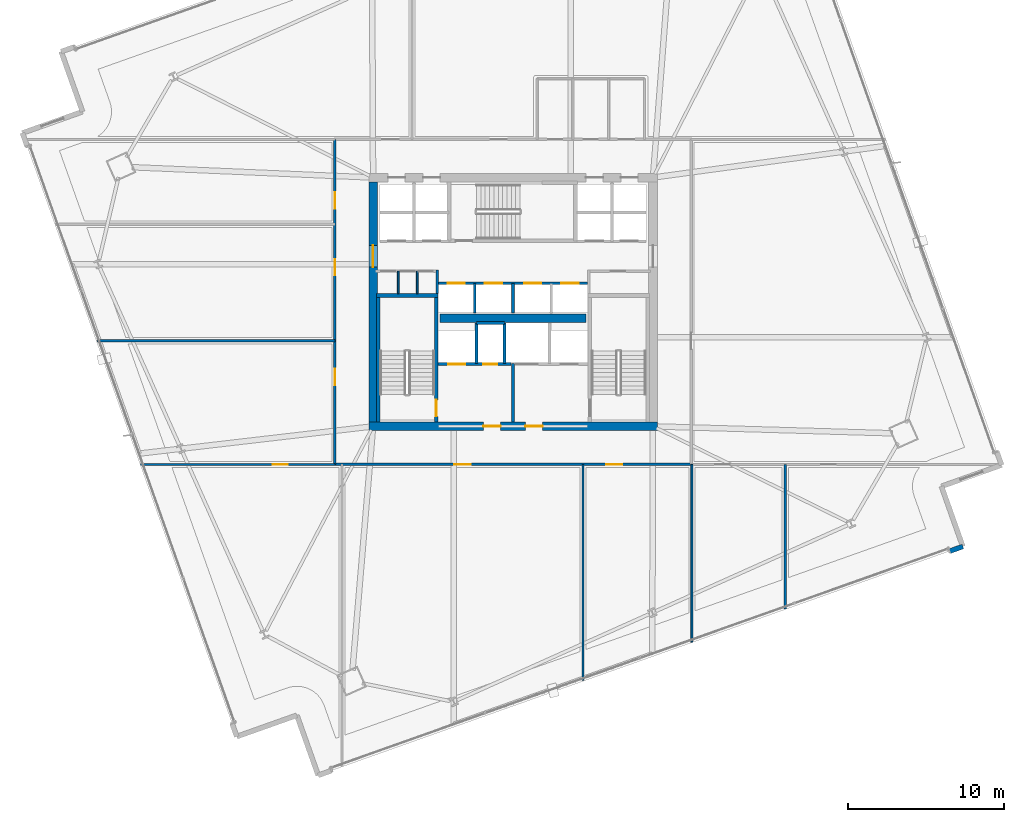
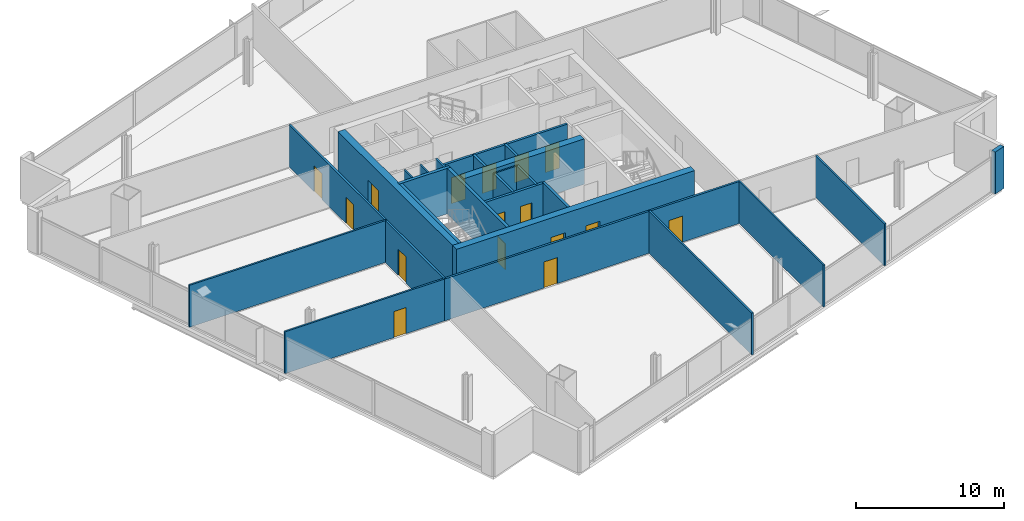
# One storey, part 25 of 33: 25 walls, 16 doors, 16 openings.
"""IFC4 building model written with IfcOpenShell, lengths in metres."""

from ifc_helpers import new_model, si_unit, direction, frame, frame_2d, origin, place, context, subcontext, project, spatial, rectangle, extrude, material, layer, layer_set, type_object, element, fill, save


model = new_model("IFC4")

# Units and contexts
model_context = context("Model", 3, precision=1e-05, world=origin(), true_north=direction((0.0, 1.0)))
body_context = subcontext(model_context, "Body", "Model", "MODEL_VIEW")
ifc_project = project(units=[si_unit("LENGTHUNIT", "METRE"), si_unit("AREAUNIT", "SQUARE_METRE"), si_unit("VOLUMEUNIT", "CUBIC_METRE"), si_unit("PLANEANGLEUNIT", "RADIAN"), si_unit("MASSUNIT", "GRAM", prefix="KILO")], contexts=[model_context])

# Site, building, storey
site_placement = place(None, origin())
site = spatial("IfcSite", under=ifc_project, at=site_placement, CompositionType="ELEMENT")
building_placement = place(site_placement, origin())
building = spatial("IfcBuilding", under=site, at=building_placement, Name="Haldenkirk Collegiate Tower", CompositionType="ELEMENT")
storey_placement = place(building_placement, frame((0.0, 0.0, 94.199951171875)))
storey = spatial("IfcBuildingStorey", under=building, at=storey_placement, Name="L22", CompositionType="ELEMENT", Elevation=94.199951171875)

# Wall, openings, doors
ifc_material_1 = material(Name="Concrete f'c 70 MPa", Category="concrete")
ifc_layer_1 = layer(ifc_material_1, 0.550048828125)
ifc_layer_set_1 = layer_set([ifc_layer_1], Name="Concrete f'c 70 MPa")
wall_type_1 = type_object("IfcWallType", Name="WL-CORE-550", PredefinedType="SHEAR", material=ifc_layer_set_1)
wall_1_placement = place(storey_placement, frame((26.72509765625, 18.0, 0.0), z_axis=(0.0, 0.0, 1.0), x_axis=(1.0, 0.0, 0.0)))
wall_1 = element("IfcWall", 1, at=wall_1_placement, inside=storey, type_object=wall_type_1, Name="L22 central core shear wall S", PredefinedType="SHEAR", context=body_context, shape_type="SweptSolid", body=[
    extrude(rectangle(XDim=18.5498046875, YDim=0.550048828125, at=frame_2d((9.27490234375, 0.0))), origin(), (0.0, 0.0, 1.0), 3.75),
])
opening_1_placement = place(wall_1_placement, frame((7.375, 0.0, 0.0)))
opening_1 = element("IfcOpeningElement", 2, at=opening_1_placement, cuts=wall_1, Name="Opening D-02", PredefinedType="OPENING", context=body_context, shape_type="SweptSolid", body=[
    extrude(rectangle(XDim=1.10009765625, YDim=2.14990234375, at=frame_2d((0.550048828125, 1.074951171875))), frame((0.0, 0.284912109375, 0.0), z_axis=(0.0, -1.0, 0.0), x_axis=(1.0, 0.0, 0.0)), (0.0, 0.0, 1.0), 0.570068359375),
])
opening_2_placement = place(wall_1_placement, frame((10.074951171875, 0.0, 0.0)))
opening_2 = element("IfcOpeningElement", 3, at=opening_2_placement, cuts=wall_1, Name="Opening D-02", PredefinedType="OPENING", context=body_context, shape_type="SweptSolid", body=[
    extrude(rectangle(XDim=1.10009765625, YDim=2.14990234375, at=frame_2d((0.550048828125, 1.074951171875))), frame((0.0, 0.284912109375, 0.0), z_axis=(0.0, -1.0, 0.0), x_axis=(1.0, 0.0, 0.0)), (0.0, 0.0, 1.0), 0.570068359375),
])
ifc_material_2 = material(Name="Galvanized fire-rated hollow steel door", Category="steel")
ifc_layer_2 = layer(ifc_material_2, 0.06005859375)
ifc_layer_set_2 = layer_set([ifc_layer_2], Name="Galvanized fire-rated hollow steel door")
door_type_1 = type_object("IfcDoorType", Name="DR-STAIR-FD90-1100", OperationType="NOTDEFINED", PredefinedType="DOOR", material=ifc_layer_set_2)
door_1_placement = place(opening_1_placement, origin())
door_1 = element("IfcDoor", 4, at=door_1_placement, inside=storey, type_object=door_type_1, Name="L22 Firefighting Lobby 1 door", OperationType="SINGLE_SWING_LEFT", OverallHeight=2.14990234375, OverallWidth=1.10009765625, PredefinedType="DOOR", context=body_context, shape_type="SweptSolid", body=[
    extrude(rectangle(XDim=1.10009765625, YDim=2.14990234375, at=frame_2d((0.550048828125, 1.074951171875))), frame((0.0, 0.02490234375, 0.0), z_axis=(0.0, -1.0, 0.0), x_axis=(1.0, 0.0, 0.0)), (0.0, 0.0, 1.0), 0.050048828125),
])
fill(opening_1, door_1)
door_2_placement = place(opening_2_placement, origin())
door_2 = element("IfcDoor", 5, at=door_2_placement, inside=storey, type_object=door_type_1, Name="L22 Firefighting Lobby 2 door", OperationType="SINGLE_SWING_RIGHT", OverallHeight=2.14990234375, OverallWidth=1.10009765625, PredefinedType="DOOR", context=body_context, shape_type="SweptSolid", body=[
    extrude(rectangle(XDim=1.10009765625, YDim=2.14990234375, at=frame_2d((0.550048828125, 1.074951171875))), frame((0.0, 0.02490234375, 0.0), z_axis=(0.0, -1.0, 0.0), x_axis=(1.0, 0.0, 0.0)), (0.0, 0.0, 1.0), 0.050048828125),
])
fill(opening_2, door_2)

# Wall, opening, door
wall_2_placement = place(storey_placement, frame((27.0, 18.27490234375, 0.0), z_axis=(0.0, 0.0, 1.0), x_axis=(0.0, 1.0, 0.0)))
wall_2 = element("IfcWall", 6, at=wall_2_placement, inside=storey, type_object=wall_type_1, Name="L22 central core shear wall W", PredefinedType="SHEAR", context=body_context, shape_type="SweptSolid", body=[
    extrude(rectangle(XDim=15.4501953125, YDim=0.550048828125, at=frame_2d((7.72509765625, 0.0))), origin(), (0.0, 0.0, 1.0), 3.75),
])
opening_3_placement = place(wall_2_placement, frame((9.965087890625, 0.0, 0.0)))
opening_3 = element("IfcOpeningElement", 7, at=opening_3_placement, cuts=wall_2, Name="Opening D-03", PredefinedType="OPENING", context=body_context, shape_type="SweptSolid", body=[
    extrude(rectangle(XDim=1.39990234375, YDim=2.199951171875, at=frame_2d((0.699951171875, 1.10009765625))), frame((0.0, 0.284912109375, 0.0), z_axis=(0.0, -1.0, 0.0), x_axis=(1.0, 0.0, 0.0)), (0.0, 0.0, 1.0), 0.570068359375),
])
ifc_layer_3 = layer(ifc_material_2, 0.06005859375)
ifc_layer_set_3 = layer_set([ifc_layer_3], Name="Galvanized fire-rated hollow steel door")
door_type_2 = type_object("IfcDoorType", Name="DR-LOBBY-FD90-1400", OperationType="NOTDEFINED", PredefinedType="DOOR", material=ifc_layer_set_3)
door_3_placement = place(opening_3_placement, origin())
door_3 = element("IfcDoor", 8, at=door_3_placement, inside=storey, type_object=door_type_2, Name="L22 west lift lobby portal", OperationType="DOUBLE_DOOR_SINGLE_SWING", OverallHeight=2.199951171875, OverallWidth=1.39990234375, PredefinedType="DOOR", context=body_context, shape_type="SweptSolid", body=[
    extrude(rectangle(XDim=1.39990234375, YDim=2.199951171875, at=frame_2d((0.699951171875, 1.10009765625))), frame((0.0, 0.02490234375, 0.0), z_axis=(0.0, -1.0, 0.0), x_axis=(1.0, 0.0, 0.0)), (0.0, 0.0, 1.0), 0.050048828125),
])
fill(opening_3, door_3)

# Walls
wall_3_placement = place(storey_placement, frame((31.31005859375, 24.949951171875, 0.0), z_axis=(0.0, 0.0, 1.0), x_axis=(1.0, 0.0, 0.0)))
element("IfcWall", 9, at=wall_3_placement, inside=storey, type_object=wall_type_1, Name="L22 central core spine shear wall", PredefinedType="SHEAR", context=body_context, shape_type="SweptSolid", body=[
    extrude(rectangle(XDim=9.3798828125, YDim=0.550048828125, at=frame_2d((4.68994140625, 0.0))), origin(), (0.0, 0.0, 1.0), 3.75),
])
ifc_material_3 = material(Name="Precast concrete f'c 40 MPa", Category="concrete")
ifc_layer_4 = layer(ifc_material_3, 0.320068359375)
ifc_layer_set_4 = layer_set([ifc_layer_4], Name="Precast concrete f'c 40 MPa")
wall_type_2 = type_object("IfcWallType", Name="WL-EXT-TWR-320", PredefinedType="STANDARD", material=ifc_layer_set_4)
wall_4_placement = place(storey_placement, frame((64.93017578125, 10.2744140625, 0.0), z_axis=(0.0, 0.0, 1.0), x_axis=(-0.942317389821, -0.334720684813, 0.0)))
element("IfcWall", 10, at=wall_4_placement, inside=storey, type_object=wall_type_2, Name="L22 precast corner pier SL", PredefinedType="STANDARD", context=body_context, shape_type="SweptSolid", body=[
    extrude(rectangle(XDim=0.900146484375, YDim=0.320068359375, at=frame_2d((0.4501953125, 0.0))), origin(), (0.0, 0.0, 1.0), 3.449951171875),
])
ifc_material_4 = material(Name="Acoustic fire-rated gypsum partition", Category="concrete")
ifc_layer_5 = layer(ifc_material_4, 0.159912109375)
ifc_layer_set_5 = layer_set([ifc_layer_5], Name="Acoustic fire-rated gypsum partition")
wall_type_3 = type_object("IfcWallType", Name="WL-INT-CORR-160", PredefinedType="PARTITIONING", material=ifc_layer_set_5)
wall_5_placement = place(storey_placement, frame((31.1201171875, 26.5400390625, 0.0), z_axis=(0.0, 0.0, 1.0), x_axis=(0.0, 1.0, 0.0)))
element("IfcWall", 11, at=wall_5_placement, inside=storey, type_object=wall_type_3, Name="L22 interior partition IW-L22-VCSW-E", PredefinedType="PARTITIONING", context=body_context, shape_type="SweptSolid", body=[
    extrude(rectangle(XDim=1.510009765625, YDim=0.159912109375, at=frame_2d((0.7548828125, 0.0))), origin(), (0.0, 0.0, 1.0), 3.449951171875),
])

# Wall, openings, doors
wall_6_placement = place(storey_placement, frame((24.5, 15.550048828125, 0.0), z_axis=(0.0, 0.0, 1.0), x_axis=(1.0, 0.0, 0.0)))
wall_6 = element("IfcWall", 12, at=wall_6_placement, inside=storey, type_object=wall_type_3, Name="L22 interior partition IW-L22-CS", PredefinedType="PARTITIONING", context=body_context, shape_type="SweptSolid", body=[
    extrude(rectangle(XDim=23.0, YDim=0.159912109375, at=frame_2d((11.5, 0.0))), origin(), (0.0, 0.0, 1.0), 3.449951171875),
])
opening_4_placement = place(wall_6_placement, frame((7.72509765625, 0.0, 0.0)))
opening_4 = element("IfcOpeningElement", 13, at=opening_4_placement, cuts=wall_6, Name="Opening D-09", PredefinedType="OPENING", context=body_context, shape_type="SweptSolid", body=[
    extrude(rectangle(XDim=1.050048828125, YDim=2.14990234375, at=frame_2d((0.52490234375, 1.074951171875))), frame((0.0, 0.08984375, 0.0), z_axis=(0.0, -1.0, 0.0), x_axis=(1.0, 0.0, 0.0)), (0.0, 0.0, 1.0), 0.179931640625),
])
opening_5_placement = place(wall_6_placement, frame((17.489013671875, 0.0, 0.0)))
opening_5 = element("IfcOpeningElement", 14, at=opening_5_placement, cuts=wall_6, Name="Opening D-09", PredefinedType="OPENING", context=body_context, shape_type="SweptSolid", body=[
    extrude(rectangle(XDim=1.050048828125, YDim=2.14990234375, at=frame_2d((0.52490234375, 1.074951171875))), frame((0.0, 0.08984375, 0.0), z_axis=(0.0, -1.0, 0.0), x_axis=(1.0, 0.0, 0.0)), (0.0, 0.0, 1.0), 0.179931640625),
])
ifc_material_5 = material(Name="Solid-core architectural oak fire door", Category="wood")
ifc_layer_6 = layer(ifc_material_5, 0.06005859375)
ifc_layer_set_6 = layer_set([ifc_layer_6], Name="Solid-core architectural oak fire door")
door_type_3 = type_object("IfcDoorType", Name="DR-INT-FD60-1050", OperationType="NOTDEFINED", PredefinedType="DOOR", material=ifc_layer_set_6)
door_4_placement = place(opening_4_placement, origin())
door_4 = element("IfcDoor", 15, at=door_4_placement, inside=storey, type_object=door_type_3, Name="L22 Research Office 2 door", OperationType="SINGLE_SWING_RIGHT", OverallHeight=2.14990234375, OverallWidth=1.050048828125, PredefinedType="DOOR", context=body_context, shape_type="SweptSolid", body=[
    extrude(rectangle(XDim=1.050048828125, YDim=2.14990234375, at=frame_2d((0.52490234375, 1.074951171875))), frame((0.0, 0.02490234375, 0.0), z_axis=(0.0, -1.0, 0.0), x_axis=(1.0, 0.0, 0.0)), (0.0, 0.0, 1.0), 0.050048828125),
])
fill(opening_4, door_4)
door_5_placement = place(opening_5_placement, origin())
door_5 = element("IfcDoor", 16, at=door_5_placement, inside=storey, type_object=door_type_3, Name="L22 Senior Fellow Office 3 door", OperationType="SINGLE_SWING_LEFT", OverallHeight=2.14990234375, OverallWidth=1.050048828125, PredefinedType="DOOR", context=body_context, shape_type="SweptSolid", body=[
    extrude(rectangle(XDim=1.050048828125, YDim=2.14990234375, at=frame_2d((0.52490234375, 1.074951171875))), frame((0.0, 0.02490234375, 0.0), z_axis=(0.0, -1.0, 0.0), x_axis=(1.0, 0.0, 0.0)), (0.0, 0.0, 1.0), 0.050048828125),
])
fill(opening_5, door_5)

wall_7_placement = place(storey_placement, frame((24.550048828125, 15.550048828125, 0.0), z_axis=(0.0, 0.0, 1.0), x_axis=(0.0, 1.0, 0.0)))
wall_7 = element("IfcWall", 17, at=wall_7_placement, inside=storey, type_object=wall_type_3, Name="L22 interior partition IW-L22-CW", PredefinedType="PARTITIONING", context=body_context, shape_type="SweptSolid", body=[
    extrude(rectangle(XDim=20.89990234375, YDim=0.159912109375, at=frame_2d((10.449951171875, 0.0))), origin(), (0.0, 0.0, 1.0), 3.449951171875),
])
opening_6_placement = place(wall_7_placement, frame((5.10693359375, 0.0, 0.0)))
opening_6 = element("IfcOpeningElement", 18, at=opening_6_placement, cuts=wall_7, Name="Opening D-09", PredefinedType="OPENING", context=body_context, shape_type="SweptSolid", body=[
    extrude(rectangle(XDim=1.050048828125, YDim=2.14990234375, at=frame_2d((0.52490234375, 1.074951171875))), frame((0.0, 0.08984375, 0.0), z_axis=(0.0, -1.0, 0.0), x_axis=(1.0, 0.0, 0.0)), (0.0, 0.0, 1.0), 0.179931640625),
])
opening_7_placement = place(wall_7_placement, frame((12.155029296875, 0.0, 0.0)))
opening_7 = element("IfcOpeningElement", 19, at=opening_7_placement, cuts=wall_7, Name="Opening D-09", PredefinedType="OPENING", context=body_context, shape_type="SweptSolid", body=[
    extrude(rectangle(XDim=1.050048828125, YDim=2.14990234375, at=frame_2d((0.52490234375, 1.074951171875))), frame((0.0, 0.08984375, 0.0), z_axis=(0.0, -1.0, 0.0), x_axis=(1.0, 0.0, 0.0)), (0.0, 0.0, 1.0), 0.179931640625),
])
opening_8_placement = place(wall_7_placement, frame((16.443115234375, 0.0, 0.0)))
opening_8 = element("IfcOpeningElement", 20, at=opening_8_placement, cuts=wall_7, Name="Opening D-09", PredefinedType="OPENING", context=body_context, shape_type="SweptSolid", body=[
    extrude(rectangle(XDim=1.050048828125, YDim=2.14990234375, at=frame_2d((0.52490234375, 1.074951171875))), frame((0.0, 0.08984375, 0.0), z_axis=(0.0, -1.0, 0.0), x_axis=(1.0, 0.0, 0.0)), (0.0, 0.0, 1.0), 0.179931640625),
])
door_6_placement = place(opening_6_placement, origin())
door_6 = element("IfcDoor", 21, at=door_6_placement, inside=storey, type_object=door_type_3, Name="L22 Research Office 8 door", OperationType="SINGLE_SWING_RIGHT", OverallHeight=2.14990234375, OverallWidth=1.050048828125, PredefinedType="DOOR", context=body_context, shape_type="SweptSolid", body=[
    extrude(rectangle(XDim=1.050048828125, YDim=2.14990234375, at=frame_2d((0.52490234375, 1.074951171875))), frame((0.0, 0.02490234375, 0.0), z_axis=(0.0, -1.0, 0.0), x_axis=(1.0, 0.0, 0.0)), (0.0, 0.0, 1.0), 0.050048828125),
])
fill(opening_6, door_6)
door_7_placement = place(opening_7_placement, origin())
door_7 = element("IfcDoor", 22, at=door_7_placement, inside=storey, type_object=door_type_3, Name="L22 Senior Fellow Office 9 door", OperationType="SINGLE_SWING_LEFT", OverallHeight=2.14990234375, OverallWidth=1.050048828125, PredefinedType="DOOR", context=body_context, shape_type="SweptSolid", body=[
    extrude(rectangle(XDim=1.050048828125, YDim=2.14990234375, at=frame_2d((0.52490234375, 1.074951171875))), frame((0.0, 0.02490234375, 0.0), z_axis=(0.0, -1.0, 0.0), x_axis=(1.0, 0.0, 0.0)), (0.0, 0.0, 1.0), 0.050048828125),
])
fill(opening_7, door_7)
door_8_placement = place(opening_8_placement, origin())
door_8 = element("IfcDoor", 23, at=door_8_placement, inside=storey, type_object=door_type_3, Name="L22 Graduate Seminar Room 10 door", OperationType="SINGLE_SWING_RIGHT", OverallHeight=2.14990234375, OverallWidth=1.050048828125, PredefinedType="DOOR", context=body_context, shape_type="SweptSolid", body=[
    extrude(rectangle(XDim=1.050048828125, YDim=2.14990234375, at=frame_2d((0.52490234375, 1.074951171875))), frame((0.0, 0.02490234375, 0.0), z_axis=(0.0, -1.0, 0.0), x_axis=(1.0, 0.0, 0.0)), (0.0, 0.0, 1.0), 0.050048828125),
])
fill(opening_8, door_8)

# Wall, opening, door
ifc_layer_7 = layer(ifc_material_4, 0.139892578125)
ifc_layer_set_7 = layer_set([ifc_layer_7], Name="Acoustic fire-rated gypsum partition")
wall_type_4 = type_object("IfcWallType", Name="WL-INT-DIV-140", PredefinedType="PARTITIONING", material=ifc_layer_set_7)
wall_8_placement = place(storey_placement, frame((12.056396484375, 15.550048828125, 0.0), z_axis=(0.0, 0.0, 1.0), x_axis=(1.0, 0.0, 0.0)))
wall_8 = element("IfcWall", 24, at=wall_8_placement, inside=storey, type_object=wall_type_4, Name="L22 interior partition IW-L22-BWS", PredefinedType="PARTITIONING", context=body_context, shape_type="SweptSolid", body=[
    extrude(rectangle(XDim=12.49365234375, YDim=0.139892578125, at=frame_2d((6.246826171875, 0.0))), origin(), (0.0, 0.0, 1.0), 3.449951171875),
])
opening_9_placement = place(wall_8_placement, frame((8.50146484375, 0.0, 0.0)))
opening_9 = element("IfcOpeningElement", 25, at=opening_9_placement, cuts=wall_8, Name="Opening D-12", PredefinedType="OPENING", context=body_context, shape_type="SweptSolid", body=[
    extrude(rectangle(XDim=0.949951171875, YDim=2.14990234375, at=frame_2d((0.47509765625, 1.074951171875))), frame((0.0, 0.079833984375, 0.0), z_axis=(0.0, -1.0, 0.0), x_axis=(1.0, 0.0, 0.0)), (0.0, 0.0, 1.0), 0.159912109375),
])
ifc_layer_8 = layer(ifc_material_5, 0.06005859375)
ifc_layer_set_8 = layer_set([ifc_layer_8], Name="Solid-core architectural oak fire door")
door_type_4 = type_object("IfcDoorType", Name="DR-INT-STD-950", OperationType="NOTDEFINED", PredefinedType="DOOR", material=ifc_layer_set_8)
door_9_placement = place(opening_9_placement, origin())
door_9 = element("IfcDoor", 26, at=door_9_placement, inside=storey, type_object=door_type_4, Name="L22 Faculty Office 1 door", OperationType="SINGLE_SWING_LEFT", OverallHeight=2.14990234375, OverallWidth=0.949951171875, PredefinedType="DOOR", context=body_context, shape_type="SweptSolid", body=[
    extrude(rectangle(XDim=0.949951171875, YDim=2.14990234375, at=frame_2d((0.47509765625, 1.074951171875))), frame((0.0, 0.02490234375, 0.0), z_axis=(0.0, -1.0, 0.0), x_axis=(1.0, 0.0, 0.0)), (0.0, 0.0, 1.0), 0.050048828125),
])
fill(opening_9, door_9)

# Walls
wall_9_placement = place(storey_placement, frame((40.5, 1.6416015625, 0.0), z_axis=(0.0, 0.0, 1.0), x_axis=(0.0, 1.0, 0.0)))
element("IfcWall", 27, at=wall_9_placement, inside=storey, type_object=wall_type_4, Name="L22 interior partition IW-L22-RS2", PredefinedType="PARTITIONING", context=body_context, shape_type="SweptSolid", body=[
    extrude(rectangle(XDim=13.908447265625, YDim=0.139892578125, at=frame_2d((6.9541015625, 0.0))), origin(), (0.0, 0.0, 1.0), 3.449951171875),
])
wall_10_placement = place(storey_placement, frame((53.5, 6.2578125, 0.0), z_axis=(0.0, 0.0, 1.0), x_axis=(0.0, 1.0, 0.0)))
element("IfcWall", 28, at=wall_10_placement, inside=storey, type_object=wall_type_4, Name="L22 interior partition IW-L22-RS4", PredefinedType="PARTITIONING", context=body_context, shape_type="SweptSolid", body=[
    extrude(rectangle(XDim=9.292236328125, YDim=0.139892578125, at=frame_2d((4.64599609375, 0.0))), origin(), (0.0, 0.0, 1.0), 3.449951171875),
])
wall_11_placement = place(storey_placement, frame((9.2333984375, 23.5, 0.0), z_axis=(0.0, 0.0, 1.0), x_axis=(1.0, 0.0, 0.0)))
element("IfcWall", 29, at=wall_11_placement, inside=storey, type_object=wall_type_4, Name="L22 interior partition IW-L22-RW1", PredefinedType="PARTITIONING", context=body_context, shape_type="SweptSolid", body=[
    extrude(rectangle(XDim=15.316650390625, YDim=0.139892578125, at=frame_2d((7.658203125, 0.0))), origin(), (0.0, 0.0, 1.0), 3.449951171875),
])
ifc_material_6 = material(Name="Fire-rated gypsum shaftboard assembly", Category="concrete")
ifc_layer_9 = layer(ifc_material_6, 0.179931640625)
ifc_layer_set_9 = layer_set([ifc_layer_9], Name="Fire-rated gypsum shaftboard assembly")
wall_type_5 = type_object("IfcWallType", Name="WL-INT-SHAFT-180", PredefinedType="PARTITIONING", material=ifc_layer_set_9)
for number, where, z_axis, x_axis, name in (
    (30, (33.64990234375, 22.050048828125, 0.0), (0.0, 0.0, 1.0), (0.0, 1.0, 0.0), "L22 interior partition IW-L22-FL1E"),
    (31, (35.449951171875, 22.050048828125, 0.0), (0.0, 0.0, 1.0), (0.0, 1.0, 0.0), "L22 interior partition IW-L22-GL1W"),
):
    element("IfcWall", number, at=place(storey_placement, frame(where, z_axis=z_axis, x_axis=x_axis)), inside=storey, type_object=wall_type_5, Name=name, PredefinedType="PARTITIONING", context=body_context, shape_type="SweptSolid", body=[
        extrude(rectangle(XDim=2.599853515625, YDim=0.179931640625, at=frame_2d((1.2998046875, 0.0))), origin(), (0.0, 0.0, 1.0), 3.449951171875),
    ])
wall_12_placement = place(storey_placement, frame((33.64990234375, 24.64990234375, 0.0), z_axis=(0.0, 0.0, 1.0), x_axis=(1.0, 0.0, 0.0)))
element("IfcWall", 32, at=wall_12_placement, inside=storey, type_object=wall_type_5, Name="L22 interior partition IW-L22-RSRN", PredefinedType="PARTITIONING", context=body_context, shape_type="SweptSolid", body=[
    extrude(rectangle(XDim=1.800048828125, YDim=0.179931640625, at=frame_2d((0.89990234375, 0.0))), origin(), (0.0, 0.0, 1.0), 3.449951171875),
])

# Wall, openings, doors
wall_13_placement = place(storey_placement, frame((31.199951171875, 27.199951171875, 0.0), z_axis=(0.0, 0.0, 1.0), x_axis=(1.0, 0.0, 0.0)))
wall_13 = element("IfcWall", 33, at=wall_13_placement, inside=storey, type_object=wall_type_5, Name="L22 interior partition IW-L22-PHN", PredefinedType="PARTITIONING", context=body_context, shape_type="SweptSolid", body=[
    extrude(rectangle(XDim=9.60009765625, YDim=0.179931640625, at=frame_2d((4.800048828125, 0.0))), origin(), (0.0, 0.0, 1.0), 3.449951171875),
])
opening_10_placement = place(wall_13_placement, frame((0.590087890625, 0.0, 0.0)))
opening_10 = element("IfcOpeningElement", 34, at=opening_10_placement, cuts=wall_13, Name="Opening LD-11", PredefinedType="OPENING", context=body_context, shape_type="SweptSolid", body=[
    extrude(rectangle(XDim=1.10009765625, YDim=2.14990234375, at=frame_2d((0.550048828125, 1.074951171875))), frame((0.0, 0.099853515625, 0.0), z_axis=(0.0, -1.0, 0.0), x_axis=(1.0, 0.0, 0.0)), (0.0, 0.0, 1.0), 0.199951171875),
])
opening_11_placement = place(wall_13_placement, frame((2.989990234375, 0.0, 0.0)))
opening_11 = element("IfcOpeningElement", 35, at=opening_11_placement, cuts=wall_13, Name="Opening LD-11", PredefinedType="OPENING", context=body_context, shape_type="SweptSolid", body=[
    extrude(rectangle(XDim=1.10009765625, YDim=2.14990234375, at=frame_2d((0.550048828125, 1.074951171875))), frame((0.0, 0.099853515625, 0.0), z_axis=(0.0, -1.0, 0.0), x_axis=(1.0, 0.0, 0.0)), (0.0, 0.0, 1.0), 0.199951171875),
])
opening_12_placement = place(wall_13_placement, frame((5.510009765625, 0.0, 0.0)))
opening_12 = element("IfcOpeningElement", 36, at=opening_12_placement, cuts=wall_13, Name="Opening LD-11", PredefinedType="OPENING", context=body_context, shape_type="SweptSolid", body=[
    extrude(rectangle(XDim=1.10009765625, YDim=2.14990234375, at=frame_2d((0.550048828125, 1.074951171875))), frame((0.0, 0.099853515625, 0.0), z_axis=(0.0, -1.0, 0.0), x_axis=(1.0, 0.0, 0.0)), (0.0, 0.0, 1.0), 0.199951171875),
])
opening_13_placement = place(wall_13_placement, frame((7.909912109375, 0.0, 0.0)))
opening_13 = element("IfcOpeningElement", 37, at=opening_13_placement, cuts=wall_13, Name="Opening LD-11", PredefinedType="OPENING", context=body_context, shape_type="SweptSolid", body=[
    extrude(rectangle(XDim=1.10009765625, YDim=2.14990234375, at=frame_2d((0.550048828125, 1.074951171875))), frame((0.0, 0.099853515625, 0.0), z_axis=(0.0, -1.0, 0.0), x_axis=(1.0, 0.0, 0.0)), (0.0, 0.0, 1.0), 0.199951171875),
])
ifc_material_7 = material(Name="Brushed architectural stainless steel", Category="steel")
ifc_layer_10 = layer(ifc_material_7, 0.06005859375)
ifc_layer_set_10 = layer_set([ifc_layer_10], Name="Brushed architectural stainless steel")
door_type_5 = type_object("IfcDoorType", Name="LD-PASS-1100", OperationType="NOTDEFINED", PredefinedType="DOOR", material=ifc_layer_set_10)
door_10_placement = place(opening_10_placement, origin())
door_10 = element("IfcDoor", 38, at=door_10_placement, inside=storey, type_object=door_type_5, Name="L22 Elevator PH1 sliding landing door", OperationType="SLIDING_TO_LEFT", OverallHeight=2.14990234375, OverallWidth=1.10009765625, PredefinedType="DOOR", context=body_context, shape_type="SweptSolid", body=[
    extrude(rectangle(XDim=1.10009765625, YDim=2.14990234375, at=frame_2d((0.550048828125, 1.074951171875))), frame((0.0, 0.02490234375, 0.0), z_axis=(0.0, -1.0, 0.0), x_axis=(1.0, 0.0, 0.0)), (0.0, 0.0, 1.0), 0.050048828125),
])
fill(opening_10, door_10)
door_11_placement = place(opening_11_placement, origin())
door_11 = element("IfcDoor", 39, at=door_11_placement, inside=storey, type_object=door_type_5, Name="L22 Elevator PH2 sliding landing door", OperationType="SLIDING_TO_LEFT", OverallHeight=2.14990234375, OverallWidth=1.10009765625, PredefinedType="DOOR", context=body_context, shape_type="SweptSolid", body=[
    extrude(rectangle(XDim=1.10009765625, YDim=2.14990234375, at=frame_2d((0.550048828125, 1.074951171875))), frame((0.0, 0.02490234375, 0.0), z_axis=(0.0, -1.0, 0.0), x_axis=(1.0, 0.0, 0.0)), (0.0, 0.0, 1.0), 0.050048828125),
])
fill(opening_11, door_11)
door_12_placement = place(opening_12_placement, origin())
door_12 = element("IfcDoor", 40, at=door_12_placement, inside=storey, type_object=door_type_5, Name="L22 Elevator PH3 sliding landing door", OperationType="SLIDING_TO_LEFT", OverallHeight=2.14990234375, OverallWidth=1.10009765625, PredefinedType="DOOR", context=body_context, shape_type="SweptSolid", body=[
    extrude(rectangle(XDim=1.10009765625, YDim=2.14990234375, at=frame_2d((0.550048828125, 1.074951171875))), frame((0.0, 0.02490234375, 0.0), z_axis=(0.0, -1.0, 0.0), x_axis=(1.0, 0.0, 0.0)), (0.0, 0.0, 1.0), 0.050048828125),
])
fill(opening_12, door_12)
door_13_placement = place(opening_13_placement, origin())
door_13 = element("IfcDoor", 41, at=door_13_placement, inside=storey, type_object=door_type_5, Name="L22 Elevator PH4 sliding landing door", OperationType="SLIDING_TO_LEFT", OverallHeight=2.14990234375, OverallWidth=1.10009765625, PredefinedType="DOOR", context=body_context, shape_type="SweptSolid", body=[
    extrude(rectangle(XDim=1.10009765625, YDim=2.14990234375, at=frame_2d((0.550048828125, 1.074951171875))), frame((0.0, 0.02490234375, 0.0), z_axis=(0.0, -1.0, 0.0), x_axis=(1.0, 0.0, 0.0)), (0.0, 0.0, 1.0), 0.050048828125),
])
fill(opening_13, door_13)

# Walls
for number, where, z_axis, x_axis, name in (
    (42, (33.5400390625, 25.300048828125, 0.0), (0.0, 0.0, 1.0), (0.0, 1.0, 0.0), "L22 interior partition IW-L22-PHV1"),
    (43, (36.0, 25.300048828125, 0.0), (0.0, 0.0, 1.0), (0.0, 1.0, 0.0), "L22 interior partition IW-L22-PHV2"),
):
    element("IfcWall", number, at=place(storey_placement, frame(where, z_axis=z_axis, x_axis=x_axis)), inside=storey, type_object=wall_type_5, Name=name, PredefinedType="PARTITIONING", context=body_context, shape_type="SweptSolid", body=[
        extrude(rectangle(XDim=1.89990234375, YDim=0.179931640625, at=frame_2d((0.949951171875, 0.0))), origin(), (0.0, 0.0, 1.0), 3.449951171875),
    ])
ifc_layer_11 = layer(ifc_material_6, 0.199951171875)
ifc_layer_set_11 = layer_set([ifc_layer_11], Name="Fire-rated gypsum shaftboard assembly")
wall_type_6 = type_object("IfcWallType", Name="WL-INT-SHAFT-200", PredefinedType="PARTITIONING", material=ifc_layer_set_11)
wall_14_placement = place(storey_placement, frame((36.0, 18.280029296875, 0.0), z_axis=(0.0, 0.0, 1.0), x_axis=(0.0, 1.0, 0.0)))
element("IfcWall", 44, at=wall_14_placement, inside=storey, type_object=wall_type_6, Name="L22 interior partition IW-L22-FFLM", PredefinedType="PARTITIONING", context=body_context, shape_type="SweptSolid", body=[
    extrude(rectangle(XDim=3.77001953125, YDim=0.199951171875, at=frame_2d((1.885009765625, 0.0))), origin(), (0.0, 0.0, 1.0), 3.449951171875),
])

# Wall, openings, doors
wall_15_placement = place(storey_placement, frame((31.18994140625, 22.0, 0.0), z_axis=(0.0, 0.0, 1.0), x_axis=(1.0, 0.0, 0.0)))
wall_15 = element("IfcWall", 45, at=wall_15_placement, inside=storey, type_object=wall_type_6, Name="L22 interior partition IW-L22-FFL1N", PredefinedType="PARTITIONING", context=body_context, shape_type="SweptSolid", body=[
    extrude(rectangle(XDim=4.68994140625, YDim=0.199951171875, at=frame_2d((2.344970703125, 0.0))), origin(), (0.0, 0.0, 1.0), 3.449951171875),
])
opening_14_placement = place(wall_15_placement, frame((2.909912109375, 0.0, 0.0)))
opening_14 = element("IfcOpeningElement", 46, at=opening_14_placement, cuts=wall_15, Name="Opening D-06", PredefinedType="OPENING", context=body_context, shape_type="SweptSolid", body=[
    extrude(rectangle(XDim=0.89990234375, YDim=2.14990234375, at=frame_2d((0.449951171875, 1.074951171875))), frame((0.0, 0.10986328125, 0.0), z_axis=(0.0, -1.0, 0.0), x_axis=(1.0, 0.0, 0.0)), (0.0, 0.0, 1.0), 0.219970703125),
])
opening_15_placement = place(wall_15_placement, frame((0.635009765625, 0.0, 0.0)))
opening_15 = element("IfcOpeningElement", 47, at=opening_15_placement, cuts=wall_15, Name="Opening LD-12", PredefinedType="OPENING", context=body_context, shape_type="SweptSolid", body=[
    extrude(rectangle(XDim=1.10009765625, YDim=2.14990234375, at=frame_2d((0.550048828125, 1.074951171875))), frame((0.0, 0.10986328125, 0.0), z_axis=(0.0, -1.0, 0.0), x_axis=(1.0, 0.0, 0.0)), (0.0, 0.0, 1.0), 0.219970703125),
])
ifc_layer_12 = layer(ifc_material_2, 0.06005859375)
ifc_layer_set_12 = layer_set([ifc_layer_12], Name="Galvanized fire-rated hollow steel door")
door_type_6 = type_object("IfcDoorType", Name="DR-INT-FD90-900", OperationType="NOTDEFINED", PredefinedType="DOOR", material=ifc_layer_set_12)
door_14_placement = place(opening_14_placement, origin())
door_14 = element("IfcDoor", 48, at=door_14_placement, inside=storey, type_object=door_type_6, Name="L22 electrical riser door", OperationType="SINGLE_SWING_LEFT", OverallHeight=2.14990234375, OverallWidth=0.89990234375, PredefinedType="DOOR", context=body_context, shape_type="SweptSolid", body=[
    extrude(rectangle(XDim=0.89990234375, YDim=2.14990234375, at=frame_2d((0.449951171875, 1.074951171875))), frame((0.0, 0.02490234375, 0.0), z_axis=(0.0, -1.0, 0.0), x_axis=(1.0, 0.0, 0.0)), (0.0, 0.0, 1.0), 0.050048828125),
])
fill(opening_14, door_14)
ifc_layer_13 = layer(ifc_material_7, 0.06005859375)
ifc_layer_set_13 = layer_set([ifc_layer_13], Name="Brushed architectural stainless steel")
door_type_7 = type_object("IfcDoorType", Name="LD-FIRE-1100", OperationType="NOTDEFINED", PredefinedType="DOOR", material=ifc_layer_set_13)
door_15_placement = place(opening_15_placement, origin())
door_15 = element("IfcDoor", 49, at=door_15_placement, inside=storey, type_object=door_type_7, Name="L22 Elevator FL1 sliding landing door", OperationType="SLIDING_TO_LEFT", OverallHeight=2.14990234375, OverallWidth=1.10009765625, PredefinedType="DOOR", context=body_context, shape_type="SweptSolid", body=[
    extrude(rectangle(XDim=1.10009765625, YDim=2.14990234375, at=frame_2d((0.550048828125, 1.074951171875))), frame((0.0, 0.02490234375, 0.0), z_axis=(0.0, -1.0, 0.0), x_axis=(1.0, 0.0, 0.0)), (0.0, 0.0, 1.0), 0.050048828125),
])
fill(opening_15, door_15)

# Walls
ifc_layer_14 = layer(ifc_material_4, 0.1201171875)
ifc_layer_set_14 = layer_set([ifc_layer_14], Name="Acoustic fire-rated gypsum partition")
wall_type_7 = type_object("IfcWallType", Name="WL-INT-WET-120", PredefinedType="PARTITIONING", material=ifc_layer_set_14)
for number, where, z_axis, x_axis, name in (
    (50, (28.6201171875, 26.5400390625, 0.0), (0.0, 0.0, 1.0), (0.0, 1.0, 0.0), "L22 interior partition IW-L22-VCSW-M1"),
    (51, (29.840087890625, 26.5400390625, 0.0), (0.0, 0.0, 1.0), (0.0, 1.0, 0.0), "L22 interior partition IW-L22-VCSW-M2"),
):
    element("IfcWall", number, at=place(storey_placement, frame(where, z_axis=z_axis, x_axis=x_axis)), inside=storey, type_object=wall_type_7, Name=name, PredefinedType="PARTITIONING", context=body_context, shape_type="SweptSolid", body=[
        extrude(rectangle(XDim=1.43994140625, YDim=0.1201171875, at=frame_2d((0.719970703125, 0.0))), origin(), (0.0, 0.0, 1.0), 3.449951171875),
    ])
wall_16_placement = place(storey_placement, frame((47.5, 4.127197265625, 0.0), z_axis=(0.0, 0.0, 1.0), x_axis=(0.0, 1.0, 0.0)))
element("IfcWall", 52, at=wall_16_placement, inside=storey, type_object=wall_type_7, Name="L22 interior partition IW-L22-RS3", PredefinedType="PARTITIONING", context=body_context, shape_type="SweptSolid", body=[
    extrude(rectangle(XDim=11.4228515625, YDim=0.1201171875, at=frame_2d((5.71142578125, 0.0))), origin(), (0.0, 0.0, 1.0), 3.449951171875),
])

# Wall, opening, door
ifc_material_8 = material(Name="Concrete f'c 55 MPa", Category="concrete")
ifc_layer_15 = layer(ifc_material_8, 0.239990234375)
ifc_layer_set_15 = layer_set([ifc_layer_15], Name="Concrete f'c 55 MPa")
wall_type_8 = type_object("IfcWallType", Name="WL-SHAFT-240", PredefinedType="SHEAR", material=ifc_layer_set_15)
wall_17_placement = place(storey_placement, frame((31.070068359375, 18.280029296875, 0.0), z_axis=(0.0, 0.0, 1.0), x_axis=(0.0, 1.0, 0.0)))
wall_17 = element("IfcWall", 53, at=wall_17_placement, inside=storey, type_object=wall_type_8, Name="L22 stair shaft shear wall SW-L22-ST1E", PredefinedType="SHEAR", context=body_context, shape_type="SweptSolid", body=[
    extrude(rectangle(XDim=8.260009765625, YDim=0.239990234375, at=frame_2d((4.1298828125, 0.0))), origin(), (0.0, 0.0, 1.0), 3.75),
])
opening_16_placement = place(wall_17_placement, frame((0.364990234375, 0.0, 0.0)))
opening_16 = element("IfcOpeningElement", 54, at=opening_16_placement, cuts=wall_17, Name="Opening D-01", PredefinedType="OPENING", context=body_context, shape_type="SweptSolid", body=[
    extrude(rectangle(XDim=1.050048828125, YDim=2.14990234375, at=frame_2d((0.52490234375, 1.074951171875))), frame((0.0, 0.1298828125, 0.0), z_axis=(0.0, -1.0, 0.0), x_axis=(1.0, 0.0, 0.0)), (0.0, 0.0, 1.0), 0.260009765625),
])
ifc_layer_16 = layer(ifc_material_2, 0.06005859375)
ifc_layer_set_16 = layer_set([ifc_layer_16], Name="Galvanized fire-rated hollow steel door")
door_type_8 = type_object("IfcDoorType", Name="DR-STAIR-FD90-1050", OperationType="NOTDEFINED", PredefinedType="DOOR", material=ifc_layer_set_16)
door_16_placement = place(opening_16_placement, origin())
door_16 = element("IfcDoor", 55, at=door_16_placement, inside=storey, type_object=door_type_8, Name="L22 Stair 1 door", OperationType="SINGLE_SWING_LEFT", OverallHeight=2.14990234375, OverallWidth=1.050048828125, PredefinedType="DOOR", context=body_context, shape_type="SweptSolid", body=[
    extrude(rectangle(XDim=1.050048828125, YDim=2.14990234375, at=frame_2d((0.52490234375, 1.074951171875))), frame((0.0, 0.02490234375, 0.0), z_axis=(0.0, -1.0, 0.0), x_axis=(1.0, 0.0, 0.0)), (0.0, 0.0, 1.0), 0.050048828125),
])
fill(opening_16, door_16)

# Walls
wall_18_placement = place(storey_placement, frame((27.2099609375, 26.419921875, 0.0), z_axis=(0.0, 0.0, 1.0), x_axis=(1.0, 0.0, 0.0)))
element("IfcWall", 56, at=wall_18_placement, inside=storey, type_object=wall_type_8, Name="L22 stair shaft shear wall SW-L22-ST1N", PredefinedType="SHEAR", context=body_context, shape_type="SweptSolid", body=[
    extrude(rectangle(XDim=3.97998046875, YDim=0.239990234375, at=frame_2d((1.989990234375, 0.0))), origin(), (0.0, 0.0, 1.0), 3.75),
])
wall_19_placement = place(storey_placement, frame((27.330078125, 18.280029296875, 0.0), z_axis=(0.0, 0.0, 1.0), x_axis=(0.0, 1.0, 0.0)))
element("IfcWall", 57, at=wall_19_placement, inside=storey, type_object=wall_type_8, Name="L22 stair shaft shear wall SW-L22-ST1W", PredefinedType="SHEAR", context=body_context, shape_type="SweptSolid", body=[
    extrude(rectangle(XDim=8.260009765625, YDim=0.239990234375, at=frame_2d((4.1298828125, 0.0))), origin(), (0.0, 0.0, 1.0), 3.75),
])

save(model, "model.ifc")
